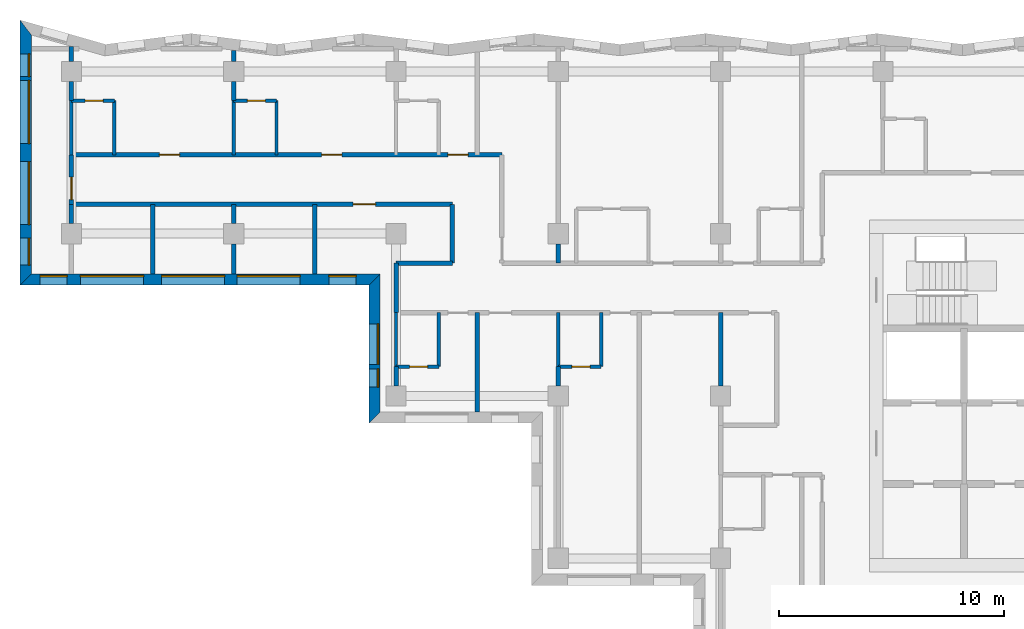
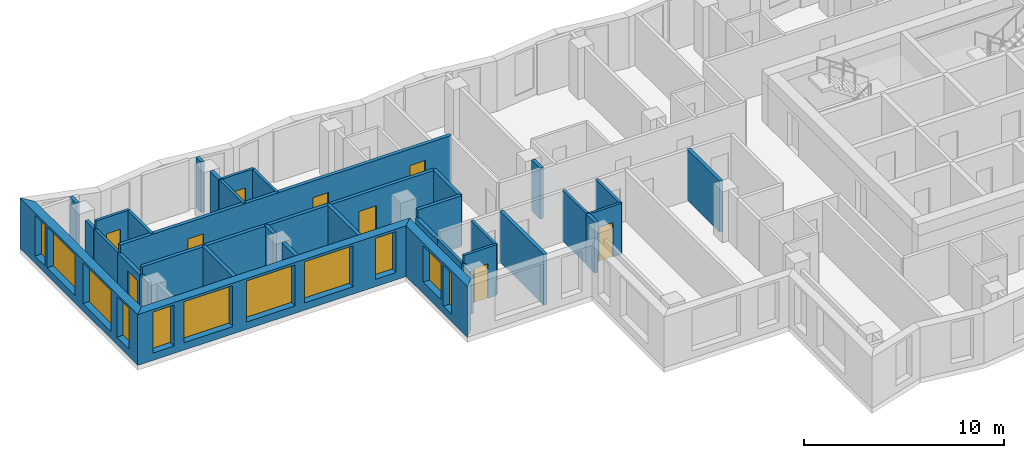
# One storey, part 4 of 12: 35 walls, 11 windows, 9 doors, 20 openings.
"""IFC4 building model written with IfcOpenShell, lengths in metres."""

from ifc_helpers import new_model, si_unit, direction, frame, frame_2d, origin, place, context, subcontext, project, spatial, polyline, rectangle, outline, extrude, material, layer, layer_set, type_object, element, fill, save


model = new_model("IFC4")

# Units and contexts
model_context = context("Model", 3, precision=1e-05, world=origin(), true_north=direction((0.0, 1.0)))
body_context = subcontext(model_context, "Body", "Model", "MODEL_VIEW")
ifc_project = project(units=[si_unit("LENGTHUNIT", "METRE"), si_unit("AREAUNIT", "SQUARE_METRE"), si_unit("VOLUMEUNIT", "CUBIC_METRE"), si_unit("PLANEANGLEUNIT", "RADIAN"), si_unit("MASSUNIT", "GRAM", prefix="KILO")], contexts=[model_context])

# Site, building, storey
site_placement = place(None, origin())
site = spatial("IfcSite", under=ifc_project, at=site_placement, CompositionType="ELEMENT")
building_placement = place(site_placement, origin())
building = spatial("IfcBuilding", under=site, at=building_placement, Name="Windrow Commons", CompositionType="ELEMENT")
storey_placement = place(building_placement, frame((0.0, 0.0, 155.8)))
storey = spatial("IfcBuildingStorey", under=building, at=storey_placement, Name="L42", CompositionType="ELEMENT", Elevation=155.8)

# Wall, openings, windows
ifc_material_1 = material(Name="Brick masonry, red clay brick", Category="masonry")
ifc_layer_1 = layer(ifc_material_1, 0.5)
ifc_layer_set_1 = layer_set([ifc_layer_1], Name="Brick facade wall 500")
wall_type_1 = type_object("IfcWallType", Name="Brick facade wall 500", PredefinedType="SOLIDWALL", material=ifc_layer_set_1)
wall_1_placement = place(storey_placement, frame((19.568, 73.9509, 0.0), z_axis=(0.0, 0.0, 1.0), x_axis=(0.0, -1.0, 0.0)))
wall_1 = element("IfcWall", 1, at=wall_1_placement, inside=storey, type_object=wall_type_1, Name="Brick facade wall L42 35", PredefinedType="SOLIDWALL", context=body_context, shape_type="SweptSolid", body=[
    extrude(outline(polyline([(-0.3311, -0.25), (11.4329, -0.25), (10.9329, 0.25), (0.3311, 0.25), (-0.3311, -0.25)])), origin(), (0.0, 0.0, 1.0), 3.1),
])
opening_1_placement = place(wall_1_placement, frame((2.3509, 0.0, 0.45)))
opening_1 = element("IfcOpeningElement", 2, at=opening_1_placement, cuts=wall_1, Name="Opening W1U", PredefinedType="OPENING", context=body_context, shape_type="SweptSolid", body=[
    extrude(rectangle(XDim=2.8, YDim=2.5, at=frame_2d((1.4, 1.25))), frame((0.0, 0.26, 0.0), z_axis=(0.0, -1.0, 0.0), x_axis=(1.0, 0.0, 0.0)), (0.0, 0.0, 1.0), 0.52),
])
opening_2_placement = place(wall_1_placement, frame((5.9509, 0.0, 0.45)))
opening_2 = element("IfcOpeningElement", 3, at=opening_2_placement, cuts=wall_1, Name="Opening W1U", PredefinedType="OPENING", context=body_context, shape_type="SweptSolid", body=[
    extrude(rectangle(XDim=2.8, YDim=2.5, at=frame_2d((1.4, 1.25))), frame((0.0, 0.26, 0.0), z_axis=(0.0, -1.0, 0.0), x_axis=(1.0, 0.0, 0.0)), (0.0, 0.0, 1.0), 0.52),
])
opening_3_placement = place(wall_1_placement, frame((9.3419, 0.0, 0.45)))
opening_3 = element("IfcOpeningElement", 4, at=opening_3_placement, cuts=wall_1, Name="Opening W7E", PredefinedType="OPENING", context=body_context, shape_type="SweptSolid", body=[
    extrude(rectangle(XDim=1.2, YDim=2.5, at=frame_2d((0.6, 1.25))), frame((0.0, 0.26, 0.0), z_axis=(0.0, -1.0, 0.0), x_axis=(1.0, 0.0, 0.0)), (0.0, 0.0, 1.0), 0.52),
])
opening_4_placement = place(wall_1_placement, frame((1.176, 0.0, 0.45)))
opening_4 = element("IfcOpeningElement", 5, at=opening_4_placement, cuts=wall_1, Name="Opening W1S", PredefinedType="OPENING", context=body_context, shape_type="SweptSolid", body=[
    extrude(rectangle(XDim=1.0, YDim=2.5, at=frame_2d((0.5, 1.25))), frame((0.0, 0.26, 0.0), z_axis=(0.0, -1.0, 0.0), x_axis=(1.0, 0.0, 0.0)), (0.0, 0.0, 1.0), 0.52),
])
ifc_material_2 = material(Name="Clear float glass in anodised aluminium frame", Category="aluminium")
window_type_1 = type_object("IfcWindowType", Name="Window W1S slit 1000x2500", PartitioningType="SINGLE_PANEL", PredefinedType="WINDOW", material=ifc_material_2)
window_1_placement = place(opening_4_placement, origin())
window_1 = element("IfcWindow", 6, at=window_1_placement, inside=storey, type_object=window_type_1, Name="Window L42 35.3A", OverallHeight=2.5, OverallWidth=1.0, PartitioningType="SINGLE_PANEL", PredefinedType="WINDOW", context=body_context, shape_type="SweptSolid", body=[
    extrude(rectangle(XDim=1.0, YDim=2.5, at=frame_2d((0.5, 1.25))), frame((0.0, 0.18, 0.0), z_axis=(0.0, -1.0, 0.0), x_axis=(1.0, 0.0, 0.0)), (0.0, 0.0, 1.0), 0.06),
])
fill(opening_4, window_1)
ifc_material_3 = material(Name="Clear float glass in anodised aluminium frame", Category="aluminium")
window_type_2 = type_object("IfcWindowType", Name="Window W1U bedroom 2800x2500", PartitioningType="SINGLE_PANEL", PredefinedType="WINDOW", material=ifc_material_3)
window_2_placement = place(opening_1_placement, origin())
window_2 = element("IfcWindow", 7, at=window_2_placement, inside=storey, type_object=window_type_2, Name="Window L42 35.1", OverallHeight=2.5, OverallWidth=2.8, PartitioningType="SINGLE_PANEL", PredefinedType="WINDOW", context=body_context, shape_type="SweptSolid", body=[
    extrude(rectangle(XDim=2.8, YDim=2.5, at=frame_2d((1.4, 1.25))), frame((0.0, 0.18, 0.0), z_axis=(0.0, -1.0, 0.0), x_axis=(1.0, 0.0, 0.0)), (0.0, 0.0, 1.0), 0.06),
])
fill(opening_1, window_2)
window_3_placement = place(opening_2_placement, origin())
window_3 = element("IfcWindow", 8, at=window_3_placement, inside=storey, type_object=window_type_2, Name="Window L42 35.2", OverallHeight=2.5, OverallWidth=2.8, PartitioningType="SINGLE_PANEL", PredefinedType="WINDOW", context=body_context, shape_type="SweptSolid", body=[
    extrude(rectangle(XDim=2.8, YDim=2.5, at=frame_2d((1.4, 1.25))), frame((0.0, 0.18, 0.0), z_axis=(0.0, -1.0, 0.0), x_axis=(1.0, 0.0, 0.0)), (0.0, 0.0, 1.0), 0.06),
])
fill(opening_2, window_3)
ifc_material_4 = material(Name="Clear float glass in anodised aluminium frame", Category="aluminium")
window_type_3 = type_object("IfcWindowType", Name="Window W7 notch 1200x2500", PartitioningType="SINGLE_PANEL", PredefinedType="WINDOW", material=ifc_material_4)
window_4_placement = place(opening_3_placement, origin())
window_4 = element("IfcWindow", 9, at=window_4_placement, inside=storey, type_object=window_type_3, Name="Window L42 35.4", OverallHeight=2.5, OverallWidth=1.2, PartitioningType="SINGLE_PANEL", PredefinedType="WINDOW", context=body_context, shape_type="SweptSolid", body=[
    extrude(rectangle(XDim=1.2, YDim=2.5, at=frame_2d((0.6, 1.25))), frame((0.0, 0.18, 0.0), z_axis=(0.0, -1.0, 0.0), x_axis=(1.0, 0.0, 0.0)), (0.0, 0.0, 1.0), 0.06),
])
fill(opening_3, window_4)

wall_2_placement = place(storey_placement, frame((19.568, 62.768, 0.0), z_axis=(0.0, 0.0, 1.0), x_axis=(1.0, 0.0, 0.0)))
wall_2 = element("IfcWall", 10, at=wall_2_placement, inside=storey, type_object=wall_type_1, Name="Brick facade wall L42 36", PredefinedType="SOLIDWALL", context=body_context, shape_type="SweptSolid", body=[
    extrude(outline(polyline([(-0.25, -0.25), (15.232, -0.25), (15.732, 0.25), (0.25, 0.25), (-0.25, -0.25)])), origin(), (0.0, 0.0, 1.0), 3.1),
])
opening_5_placement = place(wall_2_placement, frame((2.432, 0.0, 0.45)))
opening_5 = element("IfcOpeningElement", 11, at=opening_5_placement, cuts=wall_2, Name="Opening W1U", PredefinedType="OPENING", context=body_context, shape_type="SweptSolid", body=[
    extrude(rectangle(XDim=2.8, YDim=2.5, at=frame_2d((1.4, 1.25))), frame((0.0, 0.26, 0.0), z_axis=(0.0, -1.0, 0.0), x_axis=(1.0, 0.0, 0.0)), (0.0, 0.0, 1.0), 0.52),
])
opening_6_placement = place(wall_2_placement, frame((6.032, 0.0, 0.45)))
opening_6 = element("IfcOpeningElement", 12, at=opening_6_placement, cuts=wall_2, Name="Opening W1U", PredefinedType="OPENING", context=body_context, shape_type="SweptSolid", body=[
    extrude(rectangle(XDim=2.8, YDim=2.5, at=frame_2d((1.4, 1.25))), frame((0.0, 0.26, 0.0), z_axis=(0.0, -1.0, 0.0), x_axis=(1.0, 0.0, 0.0)), (0.0, 0.0, 1.0), 0.52),
])
opening_7_placement = place(wall_2_placement, frame((9.382, 0.0, 0.45)))
opening_7 = element("IfcOpeningElement", 13, at=opening_7_placement, cuts=wall_2, Name="Opening W1U", PredefinedType="OPENING", context=body_context, shape_type="SweptSolid", body=[
    extrude(rectangle(XDim=2.8, YDim=2.5, at=frame_2d((1.4, 1.25))), frame((0.0, 0.26, 0.0), z_axis=(0.0, -1.0, 0.0), x_axis=(1.0, 0.0, 0.0)), (0.0, 0.0, 1.0), 0.52),
])
opening_8_placement = place(wall_2_placement, frame((0.641, 0.0, 0.45)))
opening_8 = element("IfcOpeningElement", 14, at=opening_8_placement, cuts=wall_2, Name="Opening W7E", PredefinedType="OPENING", context=body_context, shape_type="SweptSolid", body=[
    extrude(rectangle(XDim=1.2, YDim=2.5, at=frame_2d((0.6, 1.25))), frame((0.0, 0.26, 0.0), z_axis=(0.0, -1.0, 0.0), x_axis=(1.0, 0.0, 0.0)), (0.0, 0.0, 1.0), 0.52),
])
opening_9_placement = place(wall_2_placement, frame((13.457, 0.0, 0.45)))
opening_9 = element("IfcOpeningElement", 15, at=opening_9_placement, cuts=wall_2, Name="Opening W7E", PredefinedType="OPENING", context=body_context, shape_type="SweptSolid", body=[
    extrude(rectangle(XDim=1.2, YDim=2.5, at=frame_2d((0.6, 1.25))), frame((0.0, 0.26, 0.0), z_axis=(0.0, -1.0, 0.0), x_axis=(1.0, 0.0, 0.0)), (0.0, 0.0, 1.0), 0.52),
])
window_5_placement = place(opening_5_placement, origin())
window_5 = element("IfcWindow", 16, at=window_5_placement, inside=storey, type_object=window_type_2, Name="Window L42 36.1", OverallHeight=2.5, OverallWidth=2.8, PartitioningType="SINGLE_PANEL", PredefinedType="WINDOW", context=body_context, shape_type="SweptSolid", body=[
    extrude(rectangle(XDim=2.8, YDim=2.5, at=frame_2d((1.4, 1.25))), frame((0.0, 0.18, 0.0), z_axis=(0.0, -1.0, 0.0), x_axis=(1.0, 0.0, 0.0)), (0.0, 0.0, 1.0), 0.06),
])
fill(opening_5, window_5)
window_6_placement = place(opening_6_placement, origin())
window_6 = element("IfcWindow", 17, at=window_6_placement, inside=storey, type_object=window_type_2, Name="Window L42 36.2", OverallHeight=2.5, OverallWidth=2.8, PartitioningType="SINGLE_PANEL", PredefinedType="WINDOW", context=body_context, shape_type="SweptSolid", body=[
    extrude(rectangle(XDim=2.8, YDim=2.5, at=frame_2d((1.4, 1.25))), frame((0.0, 0.18, 0.0), z_axis=(0.0, -1.0, 0.0), x_axis=(1.0, 0.0, 0.0)), (0.0, 0.0, 1.0), 0.06),
])
fill(opening_6, window_6)
window_7_placement = place(opening_7_placement, origin())
window_7 = element("IfcWindow", 18, at=window_7_placement, inside=storey, type_object=window_type_2, Name="Window L42 36.3", OverallHeight=2.5, OverallWidth=2.8, PartitioningType="SINGLE_PANEL", PredefinedType="WINDOW", context=body_context, shape_type="SweptSolid", body=[
    extrude(rectangle(XDim=2.8, YDim=2.5, at=frame_2d((1.4, 1.25))), frame((0.0, 0.18, 0.0), z_axis=(0.0, -1.0, 0.0), x_axis=(1.0, 0.0, 0.0)), (0.0, 0.0, 1.0), 0.06),
])
fill(opening_7, window_7)
window_8_placement = place(opening_8_placement, origin())
window_8 = element("IfcWindow", 19, at=window_8_placement, inside=storey, type_object=window_type_3, Name="Window L42 36.4", OverallHeight=2.5, OverallWidth=1.2, PartitioningType="SINGLE_PANEL", PredefinedType="WINDOW", context=body_context, shape_type="SweptSolid", body=[
    extrude(rectangle(XDim=1.2, YDim=2.5, at=frame_2d((0.6, 1.25))), frame((0.0, 0.18, 0.0), z_axis=(0.0, -1.0, 0.0), x_axis=(1.0, 0.0, 0.0)), (0.0, 0.0, 1.0), 0.06),
])
fill(opening_8, window_8)
window_9_placement = place(opening_9_placement, origin())
window_9 = element("IfcWindow", 20, at=window_9_placement, inside=storey, type_object=window_type_3, Name="Window L42 36.5", OverallHeight=2.5, OverallWidth=1.2, PartitioningType="SINGLE_PANEL", PredefinedType="WINDOW", context=body_context, shape_type="SweptSolid", body=[
    extrude(rectangle(XDim=1.2, YDim=2.5, at=frame_2d((0.6, 1.25))), frame((0.0, 0.18, 0.0), z_axis=(0.0, -1.0, 0.0), x_axis=(1.0, 0.0, 0.0)), (0.0, 0.0, 1.0), 0.06),
])
fill(opening_9, window_9)

wall_3_placement = place(storey_placement, frame((35.05, 62.768, 0.0), z_axis=(0.0, 0.0, 1.0), x_axis=(0.0, -1.0, 0.0)))
wall_3 = element("IfcWall", 21, at=wall_3_placement, inside=storey, type_object=wall_type_1, Name="Brick facade wall L42 37", PredefinedType="SOLIDWALL", context=body_context, shape_type="SweptSolid", body=[
    extrude(outline(polyline([(0.25, -0.25), (6.368, -0.25), (5.868, 0.25), (-0.25, 0.25), (0.25, -0.25)])), origin(), (0.0, 0.0, 1.0), 3.1),
])
opening_10_placement = place(wall_3_placement, frame((1.968, 0.0, 0.7)))
opening_10 = element("IfcOpeningElement", 22, at=opening_10_placement, cuts=wall_3, Name="Opening W6", PredefinedType="OPENING", context=body_context, shape_type="SweptSolid", body=[
    extrude(rectangle(XDim=1.8, YDim=2.2, at=frame_2d((0.9, 1.1))), frame((0.0, 0.26, 0.0), z_axis=(0.0, -1.0, 0.0), x_axis=(1.0, 0.0, 0.0)), (0.0, 0.0, 1.0), 0.52),
])
opening_11_placement = place(wall_3_placement, frame((3.968, 0.0, 0.45)))
opening_11 = element("IfcOpeningElement", 23, at=opening_11_placement, cuts=wall_3, Name="Opening W1N", PredefinedType="OPENING", context=body_context, shape_type="SweptSolid", body=[
    extrude(rectangle(XDim=0.8, YDim=2.5, at=frame_2d((0.4, 1.25))), frame((0.0, 0.26, 0.0), z_axis=(0.0, -1.0, 0.0), x_axis=(1.0, 0.0, 0.0)), (0.0, 0.0, 1.0), 0.52),
])
ifc_material_5 = material(Name="Clear float glass in anodised aluminium frame", Category="aluminium")
window_type_4 = type_object("IfcWindowType", Name="Window W1N slit 800x2500", PartitioningType="SINGLE_PANEL", PredefinedType="WINDOW", material=ifc_material_5)
window_10_placement = place(opening_11_placement, origin())
window_10 = element("IfcWindow", 24, at=window_10_placement, inside=storey, type_object=window_type_4, Name="Window L42 37.1B", OverallHeight=2.5, OverallWidth=0.8, PartitioningType="SINGLE_PANEL", PredefinedType="WINDOW", context=body_context, shape_type="SweptSolid", body=[
    extrude(rectangle(XDim=0.8, YDim=2.5, at=frame_2d((0.4, 1.25))), frame((0.0, 0.18, 0.0), z_axis=(0.0, -1.0, 0.0), x_axis=(1.0, 0.0, 0.0)), (0.0, 0.0, 1.0), 0.06),
])
fill(opening_11, window_10)
ifc_material_6 = material(Name="Clear float glass in anodised aluminium frame", Category="aluminium")
window_type_5 = type_object("IfcWindowType", Name="Window W6 crown 1800x2200", PartitioningType="SINGLE_PANEL", PredefinedType="WINDOW", material=ifc_material_6)
window_11_placement = place(opening_10_placement, origin())
window_11 = element("IfcWindow", 25, at=window_11_placement, inside=storey, type_object=window_type_5, Name="Window L42 37.1A", OverallHeight=2.2, OverallWidth=1.8, PartitioningType="SINGLE_PANEL", PredefinedType="WINDOW", context=body_context, shape_type="SweptSolid", body=[
    extrude(rectangle(XDim=1.8, YDim=2.2, at=frame_2d((0.9, 1.1))), frame((0.0, 0.18, 0.0), z_axis=(0.0, -1.0, 0.0), x_axis=(1.0, 0.0, 0.0)), (0.0, 0.0, 1.0), 0.06),
])
fill(opening_10, window_11)

# Wall, openings, doors
ifc_material_7 = material(Name="Blockwork partition", Category="masonry")
ifc_layer_2 = layer(ifc_material_7, 0.2)
ifc_layer_set_2 = layer_set([ifc_layer_2], Name="IW-CORRIDOR-200")
wall_type_2 = type_object("IfcWallType", Name="IW-CORRIDOR-200", PredefinedType="PARTITIONING", material=ifc_layer_set_2)
wall_4_placement = place(storey_placement, frame((21.6, 68.3, 0.0), z_axis=(0.0, 0.0, 1.0), x_axis=(1.0, 0.0, 0.0)))
wall_4 = element("IfcWall", 26, at=wall_4_placement, inside=storey, type_object=wall_type_2, Name="W-L42-W002", PredefinedType="PARTITIONING", context=body_context, shape_type="SweptSolid", body=[
    extrude(rectangle(XDim=19.1, YDim=0.2, at=frame_2d((9.55, 0.0))), origin(), (0.0, 0.0, 1.0), 3.1),
])
opening_12_placement = place(wall_4_placement, frame((3.8994, 0.0, 0.0)))
opening_12 = element("IfcOpeningElement", 27, at=opening_12_placement, cuts=wall_4, Name="Opening D109F", PredefinedType="OPENING", context=body_context, shape_type="SweptSolid", body=[
    extrude(rectangle(XDim=0.9, YDim=2.1, at=frame_2d((0.45, 1.05))), frame((0.0, 0.11, 0.0), z_axis=(0.0, -1.0, 0.0), x_axis=(1.0, 0.0, 0.0)), (0.0, 0.0, 1.0), 0.22),
])
opening_13_placement = place(wall_4_placement, frame((11.0994, 0.0, 0.0)))
opening_13 = element("IfcOpeningElement", 28, at=opening_13_placement, cuts=wall_4, Name="Opening D109F", PredefinedType="OPENING", context=body_context, shape_type="SweptSolid", body=[
    extrude(rectangle(XDim=0.9, YDim=2.1, at=frame_2d((0.45, 1.05))), frame((0.0, 0.11, 0.0), z_axis=(0.0, -1.0, 0.0), x_axis=(1.0, 0.0, 0.0)), (0.0, 0.0, 1.0), 0.22),
])
opening_14_placement = place(wall_4_placement, frame((16.7, 0.0, 0.0)))
opening_14 = element("IfcOpeningElement", 29, at=opening_14_placement, cuts=wall_4, Name="Opening D109S", PredefinedType="OPENING", context=body_context, shape_type="SweptSolid", body=[
    extrude(rectangle(XDim=0.9, YDim=2.1, at=frame_2d((0.45, 1.05))), frame((0.0, 0.11, 0.0), z_axis=(0.0, -1.0, 0.0), x_axis=(1.0, 0.0, 0.0)), (0.0, 0.0, 1.0), 0.22),
])
ifc_material_8 = material(Name="Timber door leaf", Category="wood")
door_type_1 = type_object("IfcDoorType", Name="DT-BEDROOM-900", OperationType="SINGLE_SWING_LEFT", PredefinedType="DOOR", material=ifc_material_8)
door_1_placement = place(opening_12_placement, origin())
door_1 = element("IfcDoor", 30, at=door_1_placement, inside=storey, type_object=door_type_1, Name="D-L42-D004", OperationType="SINGLE_SWING_RIGHT", OverallHeight=2.1, OverallWidth=0.9, PredefinedType="DOOR", context=body_context, shape_type="SweptSolid", body=[
    extrude(rectangle(XDim=0.9, YDim=2.1, at=frame_2d((0.45, 1.05))), frame((0.0, 0.025, 0.0), z_axis=(0.0, -1.0, 0.0), x_axis=(1.0, 0.0, 0.0)), (0.0, 0.0, 1.0), 0.05),
])
fill(opening_12, door_1)
door_2_placement = place(opening_13_placement, origin())
door_2 = element("IfcDoor", 31, at=door_2_placement, inside=storey, type_object=door_type_1, Name="D-L42-D006", OperationType="SINGLE_SWING_RIGHT", OverallHeight=2.1, OverallWidth=0.9, PredefinedType="DOOR", context=body_context, shape_type="SweptSolid", body=[
    extrude(rectangle(XDim=0.9, YDim=2.1, at=frame_2d((0.45, 1.05))), frame((0.0, 0.025, 0.0), z_axis=(0.0, -1.0, 0.0), x_axis=(1.0, 0.0, 0.0)), (0.0, 0.0, 1.0), 0.05),
])
fill(opening_13, door_2)
door_3_placement = place(opening_14_placement, origin())
door_3 = element("IfcDoor", 32, at=door_3_placement, inside=storey, type_object=door_type_1, Name="D-L42-D008", OperationType="SINGLE_SWING_RIGHT", OverallHeight=2.1, OverallWidth=0.9, PredefinedType="DOOR", context=body_context, shape_type="SweptSolid", body=[
    extrude(rectangle(XDim=0.9, YDim=2.1, at=frame_2d((0.45, 1.05))), frame((0.0, 0.025, 0.0), z_axis=(0.0, -1.0, 0.0), x_axis=(1.0, 0.0, 0.0)), (0.0, 0.0, 1.0), 0.05),
])
fill(opening_14, door_3)

# Wall, opening, door
wall_5_placement = place(storey_placement, frame((21.6, 66.1, 0.0), z_axis=(0.0, 0.0, 1.0), x_axis=(1.0, 0.0, 0.0)))
wall_5 = element("IfcWall", 33, at=wall_5_placement, inside=storey, type_object=wall_type_2, Name="W-L42-W003", PredefinedType="PARTITIONING", context=body_context, shape_type="SweptSolid", body=[
    extrude(rectangle(XDim=16.9, YDim=0.2, at=frame_2d((8.45, 0.0))), origin(), (0.0, 0.0, 1.0), 3.1),
])
opening_15_placement = place(wall_5_placement, frame((12.4933, 0.0, 0.0)))
opening_15 = element("IfcOpeningElement", 34, at=opening_15_placement, cuts=wall_5, Name="Opening D310F", PredefinedType="OPENING", context=body_context, shape_type="SweptSolid", body=[
    extrude(rectangle(XDim=1.0, YDim=2.1, at=frame_2d((0.5, 1.05))), frame((0.0, 0.11, 0.0), z_axis=(0.0, -1.0, 0.0), x_axis=(1.0, 0.0, 0.0)), (0.0, 0.0, 1.0), 0.22),
])
ifc_material_9 = material(Name="Timber door leaf", Category="wood")
door_type_2 = type_object("IfcDoorType", Name="DT-AMENITY-1000", OperationType="SINGLE_SWING_LEFT", PredefinedType="DOOR", material=ifc_material_9)
door_4_placement = place(opening_15_placement, origin())
door_4 = element("IfcDoor", 35, at=door_4_placement, inside=storey, type_object=door_type_2, Name="D-L42-D010", OperationType="SINGLE_SWING_RIGHT", OverallHeight=2.1, OverallWidth=1.0, PredefinedType="DOOR", context=body_context, shape_type="SweptSolid", body=[
    extrude(rectangle(XDim=1.0, YDim=2.1, at=frame_2d((0.5, 1.05))), frame((0.0, 0.025, 0.0), z_axis=(0.0, -1.0, 0.0), x_axis=(1.0, 0.0, 0.0)), (0.0, 0.0, 1.0), 0.05),
])
fill(opening_15, door_4)

# Walls
wall_6_placement = place(storey_placement, frame((38.5, 63.502, 0.0), z_axis=(0.0, 0.0, 1.0), x_axis=(0.0, 1.0, 0.0)))
element("IfcWall", 36, at=wall_6_placement, inside=storey, type_object=wall_type_2, Name="W-L42-W065", PredefinedType="PARTITIONING", context=body_context, shape_type="SweptSolid", body=[
    extrude(rectangle(XDim=2.598, YDim=0.2, at=frame_2d((1.299, 0.0))), origin(), (0.0, 0.0, 1.0), 3.1),
])
wall_7_placement = place(storey_placement, frame((36.002, 63.5, 0.0), z_axis=(0.0, 0.0, 1.0), x_axis=(1.0, 0.0, 0.0)))
element("IfcWall", 37, at=wall_7_placement, inside=storey, type_object=wall_type_2, Name="W-L42-W067", PredefinedType="PARTITIONING", context=body_context, shape_type="SweptSolid", body=[
    extrude(rectangle(XDim=2.498, YDim=0.2, at=frame_2d((1.249, 0.0))), origin(), (0.0, 0.0, 1.0), 3.1),
])

# Wall, opening, door
wall_8_placement = place(storey_placement, frame((21.6, 66.1, 0.0), z_axis=(0.0, 0.0, 1.0), x_axis=(0.0, 1.0, 0.0)))
wall_8 = element("IfcWall", 38, at=wall_8_placement, inside=storey, type_object=wall_type_2, Name="W-L42-W105", PredefinedType="PARTITIONING", context=body_context, shape_type="SweptSolid", body=[
    extrude(rectangle(XDim=2.2, YDim=0.2, at=frame_2d((1.1, 0.0))), origin(), (0.0, 0.0, 1.0), 2.6),
])
opening_16_placement = place(wall_8_placement, frame((0.2133, 0.0, 0.0)))
opening_16 = element("IfcOpeningElement", 39, at=opening_16_placement, cuts=wall_8, Name="Opening D310F", PredefinedType="OPENING", context=body_context, shape_type="SweptSolid", body=[
    extrude(rectangle(XDim=1.0, YDim=2.1, at=frame_2d((0.5, 1.05))), frame((0.0, 0.11, 0.0), z_axis=(0.0, -1.0, 0.0), x_axis=(1.0, 0.0, 0.0)), (0.0, 0.0, 1.0), 0.22),
])
door_5_placement = place(opening_16_placement, origin())
door_5 = element("IfcDoor", 40, at=door_5_placement, inside=storey, type_object=door_type_2, Name="D-L42-D000", OperationType="SINGLE_SWING_RIGHT", OverallHeight=2.1, OverallWidth=1.0, PredefinedType="DOOR", context=body_context, shape_type="SweptSolid", body=[
    extrude(rectangle(XDim=1.0, YDim=2.1, at=frame_2d((0.5, 1.05))), frame((0.0, 0.025, 0.0), z_axis=(0.0, -1.0, 0.0), x_axis=(1.0, 0.0, 0.0)), (0.0, 0.0, 1.0), 0.05),
])
fill(opening_16, door_5)

# Walls
wall_9_placement = place(storey_placement, frame((36.0, 61.3, 0.0), z_axis=(0.0, 0.0, 1.0), x_axis=(0.0, 1.0, 0.0)))
element("IfcWall", 41, at=wall_9_placement, inside=storey, type_object=wall_type_2, Name="W-L42-W106", PredefinedType="PARTITIONING", context=body_context, shape_type="SweptSolid", body=[
    extrude(rectangle(XDim=2.2, YDim=0.2, at=frame_2d((1.1, 0.0))), origin(), (0.0, 0.0, 1.0), 2.6),
])
ifc_material_10 = material(Name="Blockwork partition", Category="masonry")
ifc_layer_3 = layer(ifc_material_10, 0.15)
ifc_layer_set_3 = layer_set([ifc_layer_3], Name="IW-ENSUITE-150")
wall_type_3 = type_object("IfcWallType", Name="IW-ENSUITE-150", PredefinedType="PARTITIONING", material=ifc_layer_set_3)
wall_10_placement = place(storey_placement, frame((21.6, 68.3, 0.0), z_axis=(0.0, 0.0, 1.0), x_axis=(0.0, 1.0, 0.0)))
element("IfcWall", 42, at=wall_10_placement, inside=storey, type_object=wall_type_3, Name="W-L42-W071", PredefinedType="PARTITIONING", context=body_context, shape_type="SweptSolid", body=[
    extrude(rectangle(XDim=2.4, YDim=0.15, at=frame_2d((1.2, 0.0))), origin(), (0.0, 0.0, 1.0), 2.6),
])
for number, where, z_axis, x_axis, name in (
    (43, (23.5, 68.3, 0.0), (0.0, 0.0, 1.0), (0.0, 1.0, 0.0), "W-L42-W072"),
    (44, (28.8, 68.3, 0.0), (0.0, 0.0, 1.0), (0.0, 1.0, 0.0), "W-L42-W073"),
    (45, (30.7, 68.3, 0.0), (0.0, 0.0, 1.0), (0.0, 1.0, 0.0), "W-L42-W074"),
    (46, (37.9, 58.9, 0.0), (0.0, 0.0, 1.0), (0.0, 1.0, 0.0), "W-L42-W091"),
):
    element("IfcWall", number, at=place(storey_placement, frame(where, z_axis=z_axis, x_axis=x_axis)), inside=storey, type_object=wall_type_3, Name=name, PredefinedType="PARTITIONING", context=body_context, shape_type="SweptSolid", body=[
        extrude(rectangle(XDim=2.4, YDim=0.15, at=frame_2d((1.2, 0.0))), origin(), (0.0, 0.0, 1.0), 3.1),
    ])
wall_11_placement = place(storey_placement, frame((36.0, 58.9, 0.0), z_axis=(0.0, 0.0, 1.0), x_axis=(0.0, 1.0, 0.0)))
element("IfcWall", 47, at=wall_11_placement, inside=storey, type_object=wall_type_3, Name="W-L42-W092", PredefinedType="PARTITIONING", context=body_context, shape_type="SweptSolid", body=[
    extrude(rectangle(XDim=2.4, YDim=0.15, at=frame_2d((1.2, 0.0))), origin(), (0.0, 0.0, 1.0), 2.6),
])
for number, where, z_axis, x_axis, name in (
    (48, (45.1, 58.9, 0.0), (0.0, 0.0, 1.0), (0.0, 1.0, 0.0), "W-L42-W093"),
    (49, (43.2, 58.9, 0.0), (0.0, 0.0, 1.0), (0.0, 1.0, 0.0), "W-L42-W094"),
):
    element("IfcWall", number, at=place(storey_placement, frame(where, z_axis=z_axis, x_axis=x_axis)), inside=storey, type_object=wall_type_3, Name=name, PredefinedType="PARTITIONING", context=body_context, shape_type="SweptSolid", body=[
        extrude(rectangle(XDim=2.4, YDim=0.15, at=frame_2d((1.2, 0.0))), origin(), (0.0, 0.0, 1.0), 3.1),
    ])

# Wall, opening, door
wall_12_placement = place(storey_placement, frame((21.6, 70.7, 0.0), z_axis=(0.0, 0.0, 1.0), x_axis=(1.0, 0.0, 0.0)))
wall_12 = element("IfcWall", 50, at=wall_12_placement, inside=storey, type_object=wall_type_3, Name="W-L42-W117", PredefinedType="PARTITIONING", context=body_context, shape_type="SweptSolid", body=[
    extrude(rectangle(XDim=1.9, YDim=0.15, at=frame_2d((0.95, 0.0))), origin(), (0.0, 0.0, 1.0), 3.1),
])
opening_17_placement = place(wall_12_placement, frame((0.6069, 0.0, 0.0)))
opening_17 = element("IfcOpeningElement", 51, at=opening_17_placement, cuts=wall_12, Name="Opening D208N", PredefinedType="OPENING", context=body_context, shape_type="SweptSolid", body=[
    extrude(rectangle(XDim=0.8, YDim=2.1, at=frame_2d((0.4, 1.05))), frame((0.0, 0.085, 0.0), z_axis=(0.0, -1.0, 0.0), x_axis=(1.0, 0.0, 0.0)), (0.0, 0.0, 1.0), 0.17),
])
ifc_material_11 = material(Name="Timber door leaf", Category="wood")
door_type_3 = type_object("IfcDoorType", Name="DT-ENSUITE-800", OperationType="SINGLE_SWING_LEFT", PredefinedType="DOOR", material=ifc_material_11)
door_6_placement = place(opening_17_placement, origin())
door_6 = element("IfcDoor", 52, at=door_6_placement, inside=storey, type_object=door_type_3, Name="D-L42-D005", OperationType="SINGLE_SWING_RIGHT", OverallHeight=2.1, OverallWidth=0.8, PredefinedType="DOOR", context=body_context, shape_type="SweptSolid", body=[
    extrude(rectangle(XDim=0.8, YDim=2.1, at=frame_2d((0.4, 1.05))), frame((0.0, 0.025, 0.0), z_axis=(0.0, -1.0, 0.0), x_axis=(1.0, 0.0, 0.0)), (0.0, 0.0, 1.0), 0.05),
])
fill(opening_17, door_6)

wall_13_placement = place(storey_placement, frame((28.8, 70.7, 0.0), z_axis=(0.0, 0.0, 1.0), x_axis=(1.0, 0.0, 0.0)))
wall_13 = element("IfcWall", 53, at=wall_13_placement, inside=storey, type_object=wall_type_3, Name="W-L42-W118", PredefinedType="PARTITIONING", context=body_context, shape_type="SweptSolid", body=[
    extrude(rectangle(XDim=1.9, YDim=0.15, at=frame_2d((0.95, 0.0))), origin(), (0.0, 0.0, 1.0), 3.1),
])
opening_18_placement = place(wall_13_placement, frame((0.6069, 0.0, 0.0)))
opening_18 = element("IfcOpeningElement", 54, at=opening_18_placement, cuts=wall_13, Name="Opening D208N", PredefinedType="OPENING", context=body_context, shape_type="SweptSolid", body=[
    extrude(rectangle(XDim=0.8, YDim=2.1, at=frame_2d((0.4, 1.05))), frame((0.0, 0.085, 0.0), z_axis=(0.0, -1.0, 0.0), x_axis=(1.0, 0.0, 0.0)), (0.0, 0.0, 1.0), 0.17),
])
door_7_placement = place(opening_18_placement, origin())
door_7 = element("IfcDoor", 55, at=door_7_placement, inside=storey, type_object=door_type_3, Name="D-L42-D007", OperationType="SINGLE_SWING_RIGHT", OverallHeight=2.1, OverallWidth=0.8, PredefinedType="DOOR", context=body_context, shape_type="SweptSolid", body=[
    extrude(rectangle(XDim=0.8, YDim=2.1, at=frame_2d((0.4, 1.05))), frame((0.0, 0.025, 0.0), z_axis=(0.0, -1.0, 0.0), x_axis=(1.0, 0.0, 0.0)), (0.0, 0.0, 1.0), 0.05),
])
fill(opening_18, door_7)

wall_14_placement = place(storey_placement, frame((36.0, 58.9, 0.0), z_axis=(0.0, 0.0, 1.0), x_axis=(1.0, 0.0, 0.0)))
wall_14 = element("IfcWall", 56, at=wall_14_placement, inside=storey, type_object=wall_type_3, Name="W-L42-W120", PredefinedType="PARTITIONING", context=body_context, shape_type="SweptSolid", body=[
    extrude(rectangle(XDim=1.9, YDim=0.15, at=frame_2d((0.95, 0.0))), origin(), (0.0, 0.0, 1.0), 3.1),
])
opening_19_placement = place(wall_14_placement, frame((0.6069, 0.0, 0.0)))
opening_19 = element("IfcOpeningElement", 57, at=opening_19_placement, cuts=wall_14, Name="Opening D208N", PredefinedType="OPENING", context=body_context, shape_type="SweptSolid", body=[
    extrude(rectangle(XDim=0.8, YDim=2.1, at=frame_2d((0.4, 1.05))), frame((0.0, 0.085, 0.0), z_axis=(0.0, -1.0, 0.0), x_axis=(1.0, 0.0, 0.0)), (0.0, 0.0, 1.0), 0.17),
])
door_8_placement = place(opening_19_placement, origin())
door_8 = element("IfcDoor", 58, at=door_8_placement, inside=storey, type_object=door_type_3, Name="D-L42-D012", OperationType="SINGLE_SWING_RIGHT", OverallHeight=2.1, OverallWidth=0.8, PredefinedType="DOOR", context=body_context, shape_type="SweptSolid", body=[
    extrude(rectangle(XDim=0.8, YDim=2.1, at=frame_2d((0.4, 1.05))), frame((0.0, 0.025, 0.0), z_axis=(0.0, -1.0, 0.0), x_axis=(1.0, 0.0, 0.0)), (0.0, 0.0, 1.0), 0.05),
])
fill(opening_19, door_8)

wall_15_placement = place(storey_placement, frame((43.2, 58.9, 0.0), z_axis=(0.0, 0.0, 1.0), x_axis=(1.0, 0.0, 0.0)))
wall_15 = element("IfcWall", 59, at=wall_15_placement, inside=storey, type_object=wall_type_3, Name="W-L42-W121", PredefinedType="PARTITIONING", context=body_context, shape_type="SweptSolid", body=[
    extrude(rectangle(XDim=1.9, YDim=0.15, at=frame_2d((0.95, 0.0))), origin(), (0.0, 0.0, 1.0), 3.1),
])
opening_20_placement = place(wall_15_placement, frame((0.6069, 0.0, 0.0)))
opening_20 = element("IfcOpeningElement", 60, at=opening_20_placement, cuts=wall_15, Name="Opening D208N", PredefinedType="OPENING", context=body_context, shape_type="SweptSolid", body=[
    extrude(rectangle(XDim=0.8, YDim=2.1, at=frame_2d((0.4, 1.05))), frame((0.0, 0.085, 0.0), z_axis=(0.0, -1.0, 0.0), x_axis=(1.0, 0.0, 0.0)), (0.0, 0.0, 1.0), 0.17),
])
door_9_placement = place(opening_20_placement, origin())
door_9 = element("IfcDoor", 61, at=door_9_placement, inside=storey, type_object=door_type_3, Name="D-L42-D015", OperationType="SINGLE_SWING_RIGHT", OverallHeight=2.1, OverallWidth=0.8, PredefinedType="DOOR", context=body_context, shape_type="SweptSolid", body=[
    extrude(rectangle(XDim=0.8, YDim=2.1, at=frame_2d((0.4, 1.05))), frame((0.0, 0.025, 0.0), z_axis=(0.0, -1.0, 0.0), x_axis=(1.0, 0.0, 0.0)), (0.0, 0.0, 1.0), 0.05),
])
fill(opening_20, door_9)

# Walls
ifc_material_12 = material(Name="Blockwork partition", Category="masonry")
ifc_layer_4 = layer(ifc_material_12, 0.2)
ifc_layer_set_4 = layer_set([ifc_layer_4], Name="IW-PARTY-200")
wall_type_4 = type_object("IfcWallType", Name="IW-PARTY-200", PredefinedType="PARTITIONING", material=ifc_layer_set_4)
wall_16_placement = place(storey_placement, frame((39.6, 56.9, 0.0), z_axis=(0.0, 0.0, 1.0), x_axis=(0.0, 1.0, 0.0)))
element("IfcWall", 62, at=wall_16_placement, inside=storey, type_object=wall_type_4, Name="W-L42-W039", PredefinedType="PARTITIONING", context=body_context, shape_type="SweptSolid", body=[
    extrude(rectangle(XDim=4.4, YDim=0.2, at=frame_2d((2.2, 0.0))), origin(), (0.0, 0.0, 1.0), 3.1),
])
wall_17_placement = place(storey_placement, frame((50.4, 58.05, 0.0), z_axis=(0.0, 0.0, 1.0), x_axis=(0.0, 1.0, 0.0)))
element("IfcWall", 63, at=wall_17_placement, inside=storey, type_object=wall_type_4, Name="W-L42-W047", PredefinedType="PARTITIONING", context=body_context, shape_type="SweptSolid", body=[
    extrude(rectangle(XDim=3.25, YDim=0.2, at=frame_2d((1.625, 0.0))), origin(), (0.0, 0.0, 1.0), 3.1),
])
for number, where, z_axis, x_axis, name in (
    (64, (25.2, 63.018, 0.0), (0.0, 0.0, 1.0), (0.0, 1.0, 0.0), "W-L42-W052"),
    (65, (32.4, 63.018, 0.0), (0.0, 0.0, 1.0), (0.0, 1.0, 0.0), "W-L42-W053"),
):
    element("IfcWall", number, at=place(storey_placement, frame(where, z_axis=z_axis, x_axis=x_axis)), inside=storey, type_object=wall_type_4, Name=name, PredefinedType="PARTITIONING", context=body_context, shape_type="SweptSolid", body=[
        extrude(rectangle(XDim=3.082, YDim=0.2, at=frame_2d((1.541, 0.0))), origin(), (0.0, 0.0, 1.0), 3.1),
    ])
wall_18_placement = place(storey_placement, frame((28.8, 63.018, 0.0), z_axis=(0.0, 0.0, 1.0), x_axis=(0.0, 1.0, 0.0)))
element("IfcWall", 66, at=wall_18_placement, inside=storey, type_object=wall_type_4, Name="W-L42-W137", PredefinedType="PARTITIONING", context=body_context, shape_type="SweptSolid", body=[
    extrude(rectangle(XDim=1.332, YDim=0.2, at=frame_2d((0.666, 0.0))), origin(), (0.0, 0.0, 1.0), 3.1),
])
wall_19_placement = place(storey_placement, frame((36.0, 58.05, 0.0), z_axis=(0.0, 0.0, 1.0), x_axis=(0.0, 1.0, 0.0)))
element("IfcWall", 67, at=wall_19_placement, inside=storey, type_object=wall_type_4, Name="W-L42-W139", PredefinedType="PARTITIONING", context=body_context, shape_type="SweptSolid", body=[
    extrude(rectangle(XDim=0.85, YDim=0.2, at=frame_2d((0.425, 0.0))), origin(), (0.0, 0.0, 1.0), 2.6),
])
wall_20_placement = place(storey_placement, frame((43.2, 58.05, 0.0), z_axis=(0.0, 0.0, 1.0), x_axis=(0.0, 1.0, 0.0)))
element("IfcWall", 68, at=wall_20_placement, inside=storey, type_object=wall_type_4, Name="W-L42-W140", PredefinedType="PARTITIONING", context=body_context, shape_type="SweptSolid", body=[
    extrude(rectangle(XDim=0.85, YDim=0.2, at=frame_2d((0.425, 0.0))), origin(), (0.0, 0.0, 1.0), 3.1),
])
for number, where, z_axis, x_axis, name in (
    (69, (21.6, 65.25, 0.0), (0.0, 0.0, 1.0), (0.0, 1.0, 0.0), "W-L42-W143"),
    (70, (21.6, 70.7, 0.0), (0.0, 0.0, 1.0), (0.0, 1.0, 0.0), "W-L42-W144"),
):
    element("IfcWall", number, at=place(storey_placement, frame(where, z_axis=z_axis, x_axis=x_axis)), inside=storey, type_object=wall_type_4, Name=name, PredefinedType="PARTITIONING", context=body_context, shape_type="SweptSolid", body=[
        extrude(rectangle(XDim=0.85, YDim=0.2, at=frame_2d((0.425, 0.0))), origin(), (0.0, 0.0, 1.0), 2.6),
    ])
for number, where, z_axis, x_axis, name in (
    (71, (28.8, 65.25, 0.0), (0.0, 0.0, 1.0), (0.0, 1.0, 0.0), "W-L42-W145"),
    (72, (28.8, 70.7, 0.0), (0.0, 0.0, 1.0), (0.0, 1.0, 0.0), "W-L42-W146"),
    (73, (43.2, 63.5, 0.0), (0.0, 0.0, 1.0), (0.0, 1.0, 0.0), "W-L42-W148"),
):
    element("IfcWall", number, at=place(storey_placement, frame(where, z_axis=z_axis, x_axis=x_axis)), inside=storey, type_object=wall_type_4, Name=name, PredefinedType="PARTITIONING", context=body_context, shape_type="SweptSolid", body=[
        extrude(rectangle(XDim=0.85, YDim=0.2, at=frame_2d((0.425, 0.0))), origin(), (0.0, 0.0, 1.0), 3.1),
    ])
wall_21_placement = place(storey_placement, frame((21.6, 72.45, 0.0), z_axis=(0.0, 0.0, 1.0), x_axis=(0.0, 1.0, 0.0)))
element("IfcWall", 74, at=wall_21_placement, inside=storey, type_object=wall_type_4, Name="W-L42-W162", PredefinedType="PARTITIONING", context=body_context, shape_type="SweptSolid", body=[
    extrude(rectangle(XDim=0.6627, YDim=0.2, at=frame_2d((0.3313, 0.0))), origin(), (0.0, 0.0, 1.0), 3.1),
])
wall_22_placement = place(storey_placement, frame((28.8, 72.45, 0.0), z_axis=(0.0, 0.0, 1.0), x_axis=(0.0, 1.0, 0.0)))
element("IfcWall", 75, at=wall_22_placement, inside=storey, type_object=wall_type_4, Name="W-L42-W197", PredefinedType="PARTITIONING", context=body_context, shape_type="SweptSolid", body=[
    extrude(rectangle(XDim=0.4898, YDim=0.2, at=frame_2d((0.2449, 0.0))), origin(), (0.0, 0.0, 1.0), 3.1),
])

save(model, "model.ifc")
